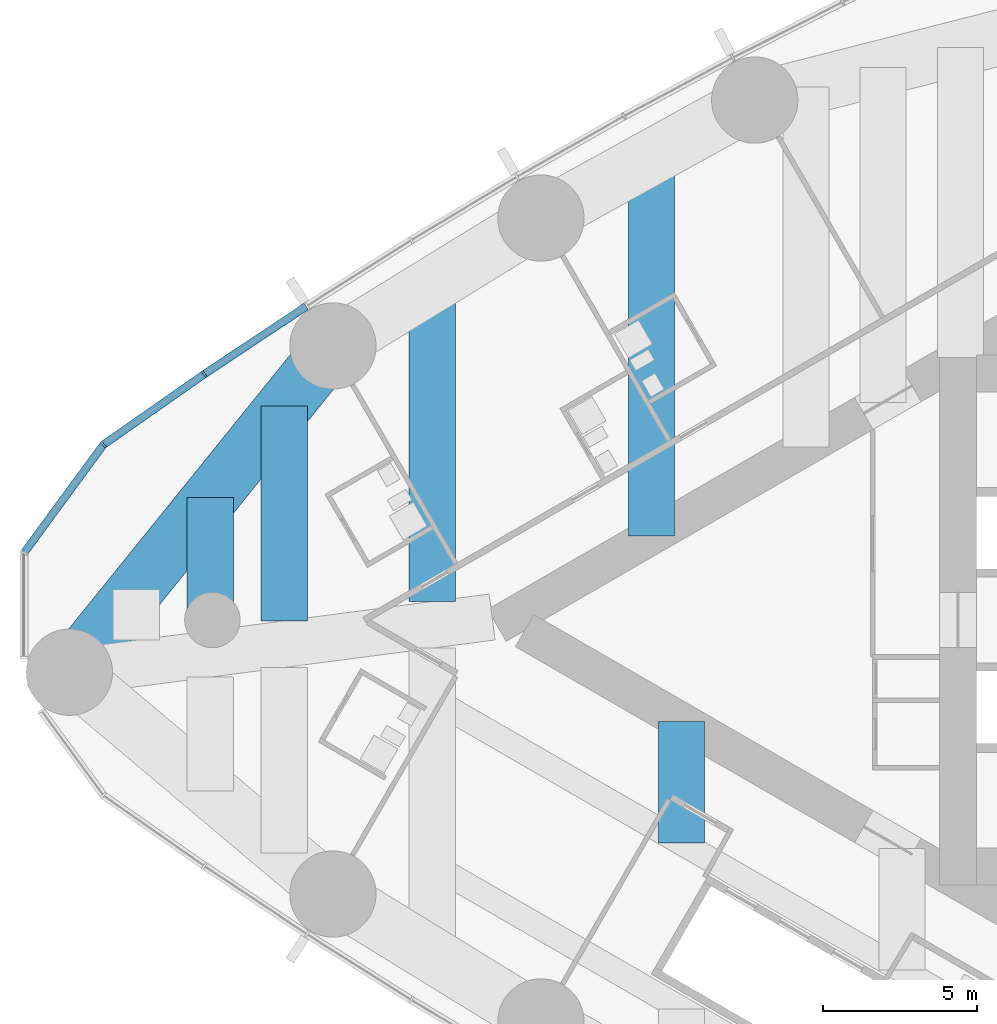
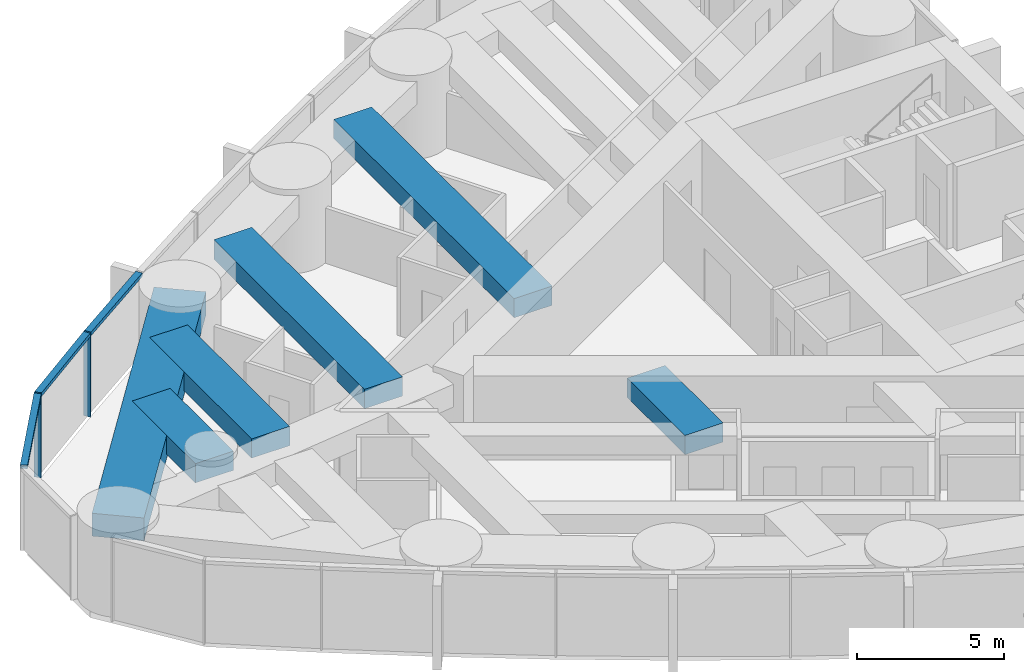
# One storey, part 3 of 19: 6 beams, 5 members, 1 element without a shape of its own.
"""IFC4 building model written with IfcOpenShell, lengths in metres."""

from ifc_helpers import new_model, si_unit, direction, frame, origin, origin_2d, place, context, subcontext, project, spatial, rectangle, extrude, material, material_profile, profile_set, type_object, element, aggregate, save


model = new_model("IFC4")

# Units and contexts
model_context = context("Model", 3, precision=1e-05, world=origin(), true_north=direction((0.0, 1.0)))
body_context = subcontext(model_context, "Body", "Model", "MODEL_VIEW")
ifc_project = project(units=[si_unit("LENGTHUNIT", "METRE"), si_unit("AREAUNIT", "SQUARE_METRE"), si_unit("VOLUMEUNIT", "CUBIC_METRE"), si_unit("PLANEANGLEUNIT", "RADIAN"), si_unit("MASSUNIT", "GRAM", prefix="KILO")], contexts=[model_context])

# Site, building, storey
site_placement = place(None, origin())
site = spatial("IfcSite", under=ifc_project, at=site_placement, CompositionType="ELEMENT")
building_placement = place(site_placement, origin())
building = spatial("IfcBuilding", under=site, at=building_placement, Name="Lancet Gate Hotel", CompositionType="ELEMENT")
storey_placement = place(building_placement, frame((0.0, 0.0, 170.300048828125)))
storey = spatial("IfcBuildingStorey", under=building, at=storey_placement, Name="L45", CompositionType="ELEMENT", Elevation=170.300048828125)

# Curtain wall, members
ifc_material_1 = material(Name="Aluminium curtain wall", Category="aluminium")
curtain_wall_type = type_object("IfcCurtainWallType", Name="Tower unitised curtain wall", PredefinedType="USERDEFINED", material=ifc_material_1)
curtain_wall_placement = place(storey_placement, origin())
curtain_wall = element("IfcCurtainWall", 1, at=curtain_wall_placement, inside=storey, type_object=curtain_wall_type, Name="T1 L45 curtain wall 2", ObjectType="UNITISED CURTAIN WALL", PredefinedType="USERDEFINED")
ifc_material_2 = material(Name="Aluminium mullion", Category="aluminium")
ifc_material_profile_1 = material_profile(ifc_material_2, rectangle(XDim=0.06494140625, YDim=0.25, at=origin_2d()), Name="MULLION 65x250")
ifc_profile_set_1 = profile_set([ifc_material_profile_1], Name="Aluminium mullion")
member_type_1 = type_object("IfcMemberType", Name="Aluminium mullion 65x250", PredefinedType="MULLION", material=ifc_profile_set_1)
member_1_placement = place(storey_placement, frame((-61.7626953125, 7.980712890625, 0.0), z_axis=(0.0, 0.0, 1.0), x_axis=(-0.826312172542, -0.563212387568, 0.0)))
member_1 = element("IfcMember", 2, at=member_1_placement, type_object=member_type_1, Name="T1 L45 curtain wall 2 mullion 10", PredefinedType="MULLION", context=body_context, shape_type="SweptSolid", body=[
    extrude(rectangle(XDim=0.06494140625, YDim=0.25, at=origin_2d()), origin(), (0.0, 0.0, 1.0), 3.5),
])
member_2_placement = place(storey_placement, frame((-65.040283203125, 5.68994140625, 0.0), z_axis=(0.0, 0.0, 1.0), x_axis=(-0.710112861968, -0.704087866155, 0.0)))
member_2 = element("IfcMember", 3, at=member_2_placement, type_object=member_type_1, Name="T1 L45 curtain wall 2 mullion 11", PredefinedType="MULLION", context=body_context, shape_type="SweptSolid", body=[
    extrude(rectangle(XDim=0.06494140625, YDim=0.25, at=origin_2d()), origin(), (0.0, 0.0, 1.0), 3.5),
])
ifc_material_3 = material(Name="Aluminium transom", Category="aluminium")
ifc_material_profile_2 = material_profile(ifc_material_3, rectangle(XDim=0.25, YDim=0.14990234375, at=origin_2d()), Name="TRANSOM 250x150")
ifc_profile_set_2 = profile_set([ifc_material_profile_2], Name="Aluminium transom")
member_type_2 = type_object("IfcMemberType", Name="Aluminium transom 250x150", PredefinedType="USERDEFINED", material=ifc_profile_set_2)
member_3_placement = place(storey_placement, frame((-58.459228515625, 10.176025390625, 3.425048828125), z_axis=(-0.832870509189, -0.553467898729, 0.0), x_axis=(0.553467898729, -0.832870509189, 0.0)))
member_3 = element("IfcMember", 4, at=member_3_placement, type_object=member_type_2, Name="T1 L45 curtain wall 2 transom 9", ObjectType="TRANSOM", PredefinedType="USERDEFINED", context=body_context, shape_type="SweptSolid", body=[
    extrude(rectangle(XDim=0.25, YDim=0.14990234375, at=origin_2d()), origin(), (0.0, 0.0, 1.0), 3.933837890625),
])
member_4_placement = place(storey_placement, frame((-61.789306640625, 7.962158203125, 3.425048828125), z_axis=(-0.819636985462, -0.572883244704, 0.0), x_axis=(0.572883244704, -0.819636985462, 0.0)))
member_4 = element("IfcMember", 5, at=member_4_placement, type_object=member_type_2, Name="T1 L45 curtain wall 2 transom 10", ObjectType="TRANSOM", PredefinedType="USERDEFINED", context=body_context, shape_type="SweptSolid", body=[
    extrude(rectangle(XDim=0.25, YDim=0.14990234375, at=origin_2d()), origin(), (0.0, 0.0, 1.0), 3.933837890625),
])
member_5_placement = place(storey_placement, frame((-65.0595703125, 5.66357421875, 3.425048828125), z_axis=(-0.591324189618, -0.806433941977, 0.0), x_axis=(0.806433941977, -0.591324189618, 0.0)))
member_5 = element("IfcMember", 6, at=member_5_placement, type_object=member_type_2, Name="T1 L45 curtain wall 2 transom 11", ObjectType="TRANSOM", PredefinedType="USERDEFINED", context=body_context, shape_type="SweptSolid", body=[
    extrude(rectangle(XDim=0.25, YDim=0.14990234375, at=origin_2d()), origin(), (0.0, 0.0, 1.0), 4.2900390625),
])
aggregate(curtain_wall, [member_1, member_2, member_3, member_4, member_5])

# Beams
ifc_material_4 = material(Name="Concrete C50/60", Category="concrete")
ifc_material_profile_3 = material_profile(ifc_material_4, rectangle(XDim=1.800048828125, YDim=0.949951171875, at=origin_2d()), Name="RC 1800x950")
ifc_profile_set_3 = profile_set([ifc_material_profile_3], Name="Concrete C50/60")
beam_type_1 = type_object("IfcBeamType", Name="Edge beam RC 1800x950", PredefinedType="SPANDREL", material=ifc_profile_set_3)
beam_1_placement = place(storey_placement, frame((-57.589599609375, 8.89306640625, 2.77490234375), z_axis=(-0.628373846765, -0.777911504416, 0.0), x_axis=(0.777911504416, -0.628373846765, 0.0)))
element("IfcBeam", 7, at=beam_1_placement, inside=storey, type_object=beam_type_1, Name="T1 edge beam EB1 L45", PredefinedType="SPANDREL", context=body_context, shape_type="SweptSolid", body=[
    extrude(rectangle(XDim=1.800048828125, YDim=0.949951171875, at=origin_2d()), origin(), (0.0, 0.0, 1.0), 13.611328125),
])
ifc_material_5 = material(Name="Concrete C50/60", Category="concrete")
ifc_material_profile_4 = material_profile(ifc_material_5, rectangle(XDim=1.5, YDim=0.800048828125, at=origin_2d()), Name="RC 1500x800")
ifc_profile_set_4 = profile_set([ifc_material_profile_4], Name="Concrete C50/60")
beam_type_2 = type_object("IfcBeamType", Name="Floor beam RC 1500x800", PredefinedType="BEAM", material=ifc_profile_set_4)
beam_2_placement = place(storey_placement, frame((-47.254638671875, 15.020751953125, 2.849853515625), z_axis=(0.0, -1.0, 0.0), x_axis=(1.0, 0.0, 0.0)))
element("IfcBeam", 8, at=beam_2_placement, inside=storey, type_object=beam_type_2, Name="T1 floor beam F09S L45", PredefinedType="BEAM", context=body_context, shape_type="SweptSolid", body=[
    extrude(rectangle(XDim=1.5, YDim=0.800048828125, at=origin_2d()), origin(), (0.0, 0.0, 1.0), 12.29931640625),
])
beam_3_placement = place(storey_placement, frame((-54.3681640625, 10.87353515625, 2.849853515625), z_axis=(0.0, -1.0, 0.0), x_axis=(1.0, 0.0, 0.0)))
element("IfcBeam", 9, at=beam_3_placement, inside=storey, type_object=beam_type_2, Name="T1 floor beam F10S L45", PredefinedType="BEAM", context=body_context, shape_type="SweptSolid", body=[
    extrude(rectangle(XDim=1.5, YDim=0.800048828125, at=origin_2d()), origin(), (0.0, 0.0, 1.0), 10.27392578125),
])
beam_4_placement = place(storey_placement, frame((-59.168212890625, 6.938720703125, 2.849853515625), z_axis=(0.0, -1.0, 0.0), x_axis=(1.0, 0.0, 0.0)))
element("IfcBeam", 10, at=beam_4_placement, inside=storey, type_object=beam_type_2, Name="T1 floor beam F12S L45", PredefinedType="BEAM", context=body_context, shape_type="SweptSolid", body=[
    extrude(rectangle(XDim=1.5, YDim=0.800048828125, at=origin_2d()), origin(), (0.0, 0.0, 1.0), 6.96630859375),
])
beam_5_placement = place(storey_placement, frame((-61.568359375, 3.967529296875, 2.849853515625), z_axis=(0.0, -1.0, 0.0), x_axis=(1.0, 0.0, 0.0)))
element("IfcBeam", 11, at=beam_5_placement, inside=storey, type_object=beam_type_2, Name="T1 floor beam F14S L45", PredefinedType="BEAM", context=body_context, shape_type="SweptSolid", body=[
    extrude(rectangle(XDim=1.5, YDim=0.800048828125, at=origin_2d()), origin(), (0.0, 0.0, 1.0), 4.308837890625),
])
beam_6_placement = place(storey_placement, frame((-46.27587890625, -3.28662109375, 2.849853515625), z_axis=(0.0, -1.0, 0.0), x_axis=(1.0, 0.0, 0.0)))
element("IfcBeam", 12, at=beam_6_placement, inside=storey, type_object=beam_type_2, Name="T1 floor beam F08NA L45", PredefinedType="BEAM", context=body_context, shape_type="SweptSolid", body=[
    extrude(rectangle(XDim=1.5, YDim=0.800048828125, at=origin_2d()), origin(), (0.0, 0.0, 1.0), 3.945556640625),
])

save(model, "model.ifc")
